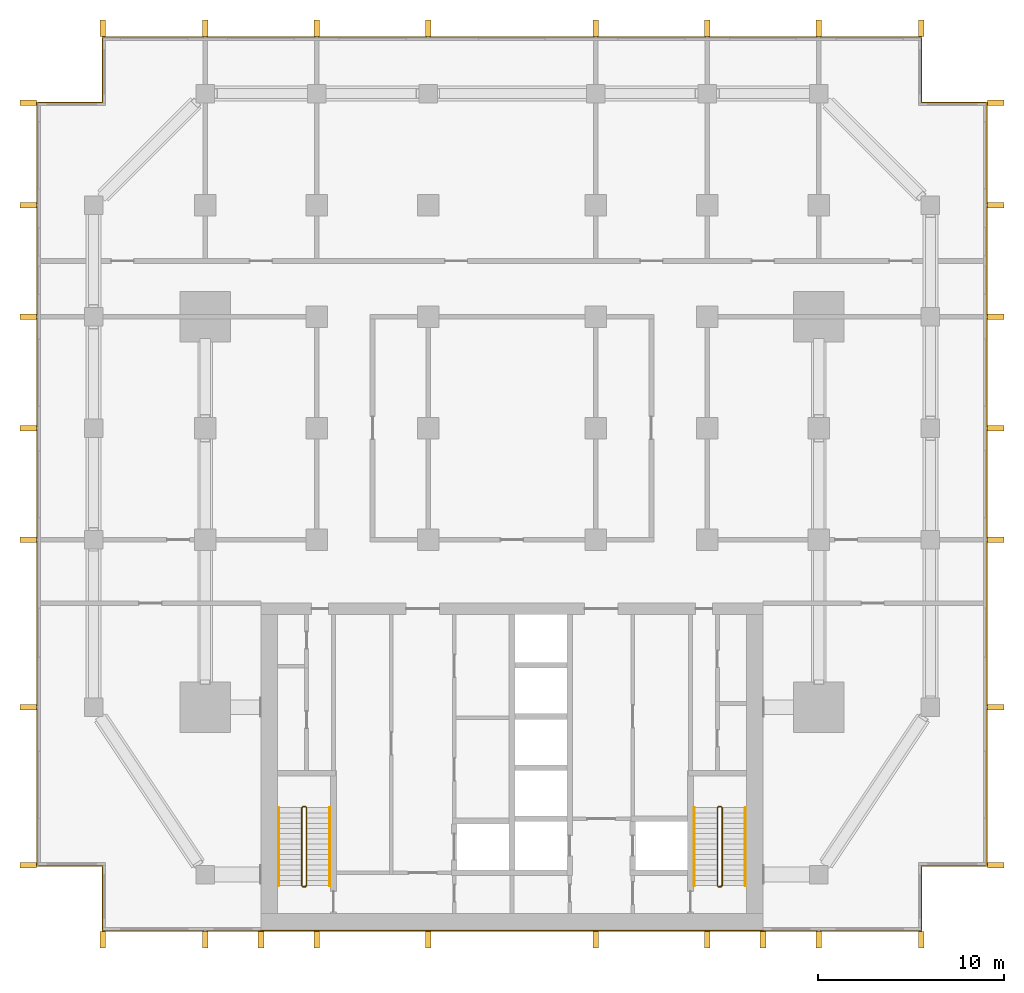
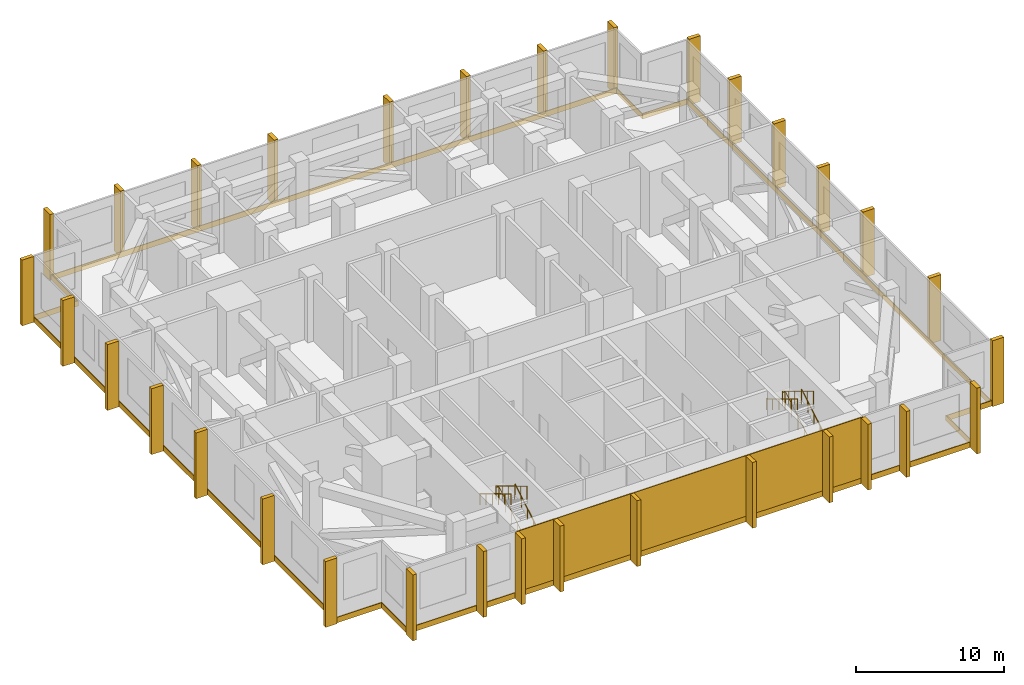
# One storey, part 12 of 12: 32 shading devices, 6 coverings, 6 railings.
"""IFC4 building model written with IfcOpenShell, lengths in metres."""

import ifcopenshell
import ifcopenshell.guid

model = None  # the IFC model being written
_history = None  # IfcOwnerHistory: only IFC2X3 demands one
_inside = {}  # id of a spatial element -> (the spatial element, [elements in it])
_under = {}  # id of a project, library or spatial element -> (it, [spatial elements below it])
_declared = {}  # id of a project -> (the project, [libraries it declares])
_typed = {}  # id of a type object -> (the type object, [elements of that type])
_made_of = {}  # id of a material, layer set ... -> (it, [elements and type objects made of it])


def new_model(schema):
    """Start an empty IFC model of exactly this schema.

    Asked for "IFC4X3", IfcOpenShell would pick the latest addendum, in which some entities
    have other attributes; the version numbers below select the first issue.
    IFC2X3 requires an IfcOwnerHistory on every rooted entity: one is made here for all.
    """
    global model, _history
    if schema == "IFC4X3":
        model = ifcopenshell.file(schema_version=(4, 3, 0, 0))
    else:
        model = ifcopenshell.file(schema=schema)
    _inside.clear()
    _under.clear()
    _declared.clear()
    _typed.clear()
    _made_of.clear()
    _history = None
    if model.schema == "IFC2X3":
        org = make("IfcOrganization", Name="unknown")
        user = make(
            "IfcPersonAndOrganization",
            ThePerson=make("IfcPerson", FamilyName="unknown"),
            TheOrganization=org,
        )
        app = make(
            "IfcApplication",
            ApplicationDeveloper=org,
            Version="unknown",
            ApplicationFullName="unknown",
            ApplicationIdentifier="unknown",
        )
        _history = make(
            "IfcOwnerHistory",
            OwningUser=user,
            OwningApplication=app,
            ChangeAction="ADDED",
            CreationDate=0,
        )
    return model


def make(cls, **values):
    """One entity of the class cls with the attributes given. An attribute that is None is left unset."""
    return model.create_entity(
        cls, **{name: value for name, value in values.items() if value is not None}
    )


def rooted(cls, **values):
    """An entity with a GlobalId (a new one), such as an element, a storey or a relation."""
    return make(cls, GlobalId=ifcopenshell.guid.new(), OwnerHistory=_history, **values)


def si_unit(unit_type, name, prefix=None):
    """IfcSIUnit, for example si_unit("LENGTHUNIT", "METRE", prefix="MILLI")."""
    return make("IfcSIUnit", UnitType=unit_type, Prefix=prefix, Name=name)


def assignment(units):
    """IfcUnitAssignment: the units of a project."""
    return None if units is None else make("IfcUnitAssignment", Units=units)


def point(xyz):
    """IfcCartesianPoint."""
    return None if xyz is None else make("IfcCartesianPoint", Coordinates=xyz)


def direction(xyz):
    """IfcDirection."""
    return None if xyz is None else make("IfcDirection", DirectionRatios=xyz)


def frame(location, z_axis=None, x_axis=None):
    """IfcAxis2Placement3D, a coordinate frame: its origin and axes. An axis left out is left unset."""
    return make(
        "IfcAxis2Placement3D",
        Location=point(location),
        Axis=direction(z_axis),
        RefDirection=direction(x_axis),
    )


def frame_2d(location, x_axis=None):
    """IfcAxis2Placement2D, a coordinate frame in the plane: its origin and x axis."""
    return make(
        "IfcAxis2Placement2D", Location=point(location), RefDirection=direction(x_axis)
    )


def origin():
    """The frame at (0, 0, 0) with its axes left unset."""
    return frame((0.0, 0.0, 0.0))


def origin_2d():
    """The frame at (0, 0) in the plane with its x axis left unset."""
    return frame_2d((0.0, 0.0))


def place(relative_to, where):
    """IfcLocalPlacement: puts the frame where relative to a parent placement (None: the world)."""
    return make(
        "IfcLocalPlacement", PlacementRelTo=relative_to, RelativePlacement=where
    )


def context(
    kind, dimensions, precision=None, world=None, true_north=None, identifier=None
):
    """IfcGeometricRepresentationContext, for example the 3D "Model" context."""
    return make(
        "IfcGeometricRepresentationContext",
        ContextIdentifier=identifier,
        ContextType=kind,
        CoordinateSpaceDimension=dimensions,
        Precision=precision,
        WorldCoordinateSystem=world,
        TrueNorth=true_north,
    )


def subcontext(parent, identifier, kind, view, scale=None):
    """IfcGeometricRepresentationSubContext, for example "Body" below "Model"."""
    return make(
        "IfcGeometricRepresentationSubContext",
        ContextIdentifier=identifier,
        ContextType=kind,
        ParentContext=parent,
        TargetScale=scale,
        TargetView=view,
    )


def project(units=None, contexts=None):
    """IfcProject with its units and contexts."""
    return rooted(
        "IfcProject",
        Name="project",
        RepresentationContexts=contexts,
        UnitsInContext=assignment(units),
    )


def spatial(cls, under=None, at=None, **own):
    """A site, building, storey or space (cls), placed at a placement, below another one or the project."""
    s = rooted(cls, ObjectPlacement=at, **own)
    if under is not None:
        _under.setdefault(under.id(), (under, []))[1].append(s)
    return s


def polyline(points):
    """IfcPolyline through the points."""
    return make("IfcPolyline", Points=[point(p) for p in points])


def profile(cls, at=None, kind="AREA", **sizes):
    """A parametric profile (cls). Its sizes go by their IFC names, for example OverallWidth=200.0."""
    return make(cls, ProfileType=kind, Position=at, **sizes)


def rectangle(**sizes):
    """IfcRectangleProfileDef."""
    return profile("IfcRectangleProfileDef", **sizes)


def circle(**sizes):
    """IfcCircleProfileDef."""
    return profile("IfcCircleProfileDef", **sizes)


def outline(outer, holes=None, kind="AREA"):
    """IfcArbitraryClosedProfileDef: a profile drawn as a closed curve; with holes, ...WithVoids."""
    if holes is None:
        return make("IfcArbitraryClosedProfileDef", ProfileType=kind, OuterCurve=outer)
    return make(
        "IfcArbitraryProfileDefWithVoids",
        ProfileType=kind,
        OuterCurve=outer,
        InnerCurves=holes,
    )


def extrude(swept, where, along, depth):
    """IfcExtrudedAreaSolid: the profile swept, set in the frame where, extruded along a direction by depth."""
    return make(
        "IfcExtrudedAreaSolid",
        SweptArea=swept,
        Position=where,
        ExtrudedDirection=direction(along),
        Depth=depth,
    )


def shape(context_of_items, identifier, shape_type, items):
    """IfcShapeRepresentation: the items that make up one representation, for example the "Body"."""
    return make(
        "IfcShapeRepresentation",
        ContextOfItems=context_of_items,
        RepresentationIdentifier=identifier,
        RepresentationType=shape_type,
        Items=items,
    )


def material(Name=None, Category=None):
    """IfcMaterial."""
    return make("IfcMaterial", Name=Name, Category=Category)


def layer(
    of_material, thickness, ventilated=None, Name=None, Category=None, Priority=None
):
    """IfcMaterialLayer: one layer of a wall or slab, of a material (None: an air gap)."""
    return make(
        "IfcMaterialLayer",
        Material=of_material,
        LayerThickness=thickness,
        IsVentilated=ventilated,
        Name=Name,
        Category=Category,
        Priority=Priority,
    )


def layer_set(layers, Name=None):
    """IfcMaterialLayerSet."""
    return make("IfcMaterialLayerSet", MaterialLayers=layers, LayerSetName=Name)


def made_of(thing, what):
    """Note that an element or type object is made of a material, layer set ...; save() writes the relation."""
    if what is not None:
        _made_of.setdefault(what.id(), (what, []))[1].append(thing)
    return thing


def type_object(cls, material=None, **own):
    """A type object (cls), such as IfcWallType, which elements share."""
    return made_of(rooted(cls, **own), material)


def element(
    cls,
    number,
    at=None,
    inside=None,
    cuts=None,
    type_object=None,
    material=None,
    context=None,
    identifier="Body",
    shape_type=None,
    held_by="IfcProductDefinitionShape",
    body=None,
    shapes=None,
    **own,
):
    """One element of the class cls, such as IfcWall. Its Tag is "e" and its number.

    at: its placement. inside: the storey or other place that contains it. cuts: it is an
    opening in that element (IfcRelVoidsElement). A single representation is given by context,
    identifier, shape_type and body (its items); several are given by shapes. held_by: the class
    of the entity that holds the representations. save() writes the other relations.
    """
    e = rooted(cls, Tag="e%d" % number, ObjectPlacement=at, **own)
    if body is not None:
        shapes = [shape(context, identifier, shape_type, body)]
    if shapes is not None:
        e.Representation = make(held_by, Representations=shapes)
    if inside is not None:
        _inside.setdefault(inside.id(), (inside, []))[1].append(e)
    if cuts is not None:
        rooted(
            "IfcRelVoidsElement", RelatingBuildingElement=cuts, RelatedOpeningElement=e
        )
    if type_object is not None:
        _typed.setdefault(type_object.id(), (type_object, []))[1].append(e)
    return made_of(e, material)


def aggregate(whole, parts):
    """IfcRelAggregates: a whole, such as a stair, and the parts it consists of."""
    return rooted("IfcRelAggregates", RelatingObject=whole, RelatedObjects=parts)


def save(model, path):
    """Write the relations noted so far, then the file.

    IfcRelAggregates (storeys below a building ...), IfcRelContainedInSpatialStructure (elements
    in a storey), IfcRelDefinesByType, IfcRelAssociatesMaterial and IfcRelDeclares: one each for
    every whole, place, type object, material and project.
    """
    for whole, parts in _under.values():
        aggregate(whole, parts)
    for where, things in _inside.values():
        rooted(
            "IfcRelContainedInSpatialStructure",
            RelatedElements=things,
            RelatingStructure=where,
        )
    for kind, things in _typed.values():
        rooted("IfcRelDefinesByType", RelatedObjects=things, RelatingType=kind)
    for what, things in _made_of.values():
        rooted("IfcRelAssociatesMaterial", RelatedObjects=things, RelatingMaterial=what)
    for by, libraries in _declared.values():
        rooted("IfcRelDeclares", RelatingContext=by, RelatedDefinitions=libraries)
    model.write(path)


model = new_model("IFC4")

# Units and contexts
model_context = context("Model", 3, precision=1e-05, world=origin(), true_north=direction((0.0, 1.0)))
body_context = subcontext(model_context, "Body", "Model", "MODEL_VIEW")
ifc_project = project(units=[si_unit("LENGTHUNIT", "METRE"), si_unit("AREAUNIT", "SQUARE_METRE"), si_unit("VOLUMEUNIT", "CUBIC_METRE"), si_unit("PLANEANGLEUNIT", "RADIAN"), si_unit("MASSUNIT", "GRAM", prefix="KILO")], contexts=[model_context])

# Site, building, storey
site_placement = place(None, origin())
site = spatial("IfcSite", under=ifc_project, at=site_placement, CompositionType="ELEMENT")
building_placement = place(site_placement, origin())
building = spatial("IfcBuilding", under=site, at=building_placement, Name="Finial Court Residences", CompositionType="ELEMENT")
storey_placement = place(building_placement, frame((0.0, 0.0, 143.89990234375)))
storey = spatial("IfcBuildingStorey", under=building, at=storey_placement, Name="L35", CompositionType="ELEMENT", Elevation=143.89990234375)

# Coverings
ifc_material_1 = material(Name="Natural limestone", Category="masonry")
ifc_layer_1 = layer(ifc_material_1, 0.06005859375)
ifc_layer_set_1 = layer_set([ifc_layer_1], Name="Limestone cladding to the blind core face 60")
covering_type_1 = type_object("IfcCoveringType", Name="Limestone cladding to the blind core face 60", PredefinedType="CLADDING", material=ifc_layer_set_1)
covering_1_placement = place(storey_placement, origin())
element("IfcCovering", 1, at=covering_1_placement, inside=storey, type_object=covering_type_1, Name="E-L35-CLAD1", PredefinedType="CLADDING", context=body_context, shape_type="SweptSolid", body=[
    extrude(outline(polyline([(-10.5, -25.56005859375), (-10.5, -25.5), (-13.5, -25.5), (-13.5, -25.56005859375), (-10.5, -25.56005859375)])), origin(), (0.0, 0.0, 1.0), 5.0),
])
covering_2_placement = place(storey_placement, origin())
element("IfcCovering", 2, at=covering_2_placement, inside=storey, type_object=covering_type_1, Name="E-L35-CLAD2", PredefinedType="CLADDING", context=body_context, shape_type="SweptSolid", body=[
    extrude(outline(polyline([(-4.5, -25.56005859375), (-4.5, -25.5), (-10.5, -25.5), (-10.5, -25.56005859375), (-4.5, -25.56005859375)])), origin(), (0.0, 0.0, 1.0), 5.0),
])
covering_3_placement = place(storey_placement, origin())
element("IfcCovering", 3, at=covering_3_placement, inside=storey, type_object=covering_type_1, Name="E-L35-CLAD3", PredefinedType="CLADDING", context=body_context, shape_type="SweptSolid", body=[
    extrude(outline(polyline([(4.5, -25.56005859375), (4.5, -25.5), (-4.5, -25.5), (-4.5, -25.56005859375), (4.5, -25.56005859375)])), origin(), (0.0, 0.0, 1.0), 5.0),
])
covering_4_placement = place(storey_placement, origin())
element("IfcCovering", 4, at=covering_4_placement, inside=storey, type_object=covering_type_1, Name="E-L35-CLAD4", PredefinedType="CLADDING", context=body_context, shape_type="SweptSolid", body=[
    extrude(outline(polyline([(10.5, -25.56005859375), (10.5, -25.5), (4.5, -25.5), (4.5, -25.56005859375), (10.5, -25.56005859375)])), origin(), (0.0, 0.0, 1.0), 5.0),
])
covering_5_placement = place(storey_placement, origin())
element("IfcCovering", 5, at=covering_5_placement, inside=storey, type_object=covering_type_1, Name="E-L35-CLAD5", PredefinedType="CLADDING", context=body_context, shape_type="SweptSolid", body=[
    extrude(outline(polyline([(13.5, -25.56005859375), (13.5, -25.5), (10.5, -25.5), (10.5, -25.56005859375), (13.5, -25.56005859375)])), origin(), (0.0, 0.0, 1.0), 5.0),
])

# Shading devices
shading_device_type = type_object("IfcShadingDeviceType", Name="Limestone fin 300 x 900", PredefinedType="USERDEFINED", material=ifc_material_1)
for number, where, z_axis, x_axis, name in (
    (6, (-22.0, 23.010009765625, -0.44970703125), (0.0, 0.0, 1.0), (1.0, 0.0, 0.0), "E-L35-FIN-N1"),
    (7, (-16.5, 23.010009765625, -0.44970703125), (0.0, 0.0, 1.0), (1.0, 0.0, 0.0), "E-L35-FIN-N2"),
    (8, (-10.5, 23.010009765625, -0.44970703125), (0.0, 0.0, 1.0), (1.0, 0.0, 0.0), "E-L35-FIN-N3"),
    (9, (-4.5, 23.010009765625, -0.44970703125), (0.0, 0.0, 1.0), (1.0, 0.0, 0.0), "E-L35-FIN-N4"),
    (10, (4.5, 23.010009765625, -0.44970703125), (0.0, 0.0, 1.0), (1.0, 0.0, 0.0), "E-L35-FIN-N5"),
    (11, (10.5, 23.010009765625, -0.44970703125), (0.0, 0.0, 1.0), (1.0, 0.0, 0.0), "E-L35-FIN-N6"),
    (12, (16.5, 23.010009765625, -0.44970703125), (0.0, 0.0, 1.0), (1.0, 0.0, 0.0), "E-L35-FIN-N7"),
    (13, (22.0, 23.010009765625, -0.44970703125), (0.0, 0.0, 1.0), (1.0, 0.0, 0.0), "E-L35-FIN-N8"),
):
    element("IfcShadingDevice", number, at=place(storey_placement, frame(where, z_axis=z_axis, x_axis=x_axis)), inside=storey, type_object=shading_device_type, Name=name, ObjectType="FIN", PredefinedType="USERDEFINED", context=body_context, shape_type="SweptSolid", body=[
        extrude(rectangle(XDim=0.300048828125, YDim=0.89990234375, at=origin_2d()), origin(), (0.0, 0.0, 1.0), 5.429931640625),
    ])
for number, where, z_axis, x_axis, name in (
    (14, (26.010009765625, -22.0, -0.44970703125), (0.0, 0.0, 1.0), (1.0, 0.0, 0.0), "E-L35-FIN-E9"),
    (15, (26.010009765625, -13.5, -0.44970703125), (0.0, 0.0, 1.0), (1.0, 0.0, 0.0), "E-L35-FIN-E10"),
    (16, (26.010009765625, -4.5, -0.44970703125), (0.0, 0.0, 1.0), (1.0, 0.0, 0.0), "E-L35-FIN-E11"),
    (17, (26.010009765625, 1.5, -0.44970703125), (0.0, 0.0, 1.0), (1.0, 0.0, 0.0), "E-L35-FIN-E12"),
    (18, (26.010009765625, 7.5, -0.44970703125), (0.0, 0.0, 1.0), (1.0, 0.0, 0.0), "E-L35-FIN-E13"),
    (19, (26.010009765625, 13.5, -0.44970703125), (0.0, 0.0, 1.0), (1.0, 0.0, 0.0), "E-L35-FIN-E14"),
    (20, (26.010009765625, 19.0, -0.44970703125), (0.0, 0.0, 1.0), (1.0, 0.0, 0.0), "E-L35-FIN-E15"),
):
    element("IfcShadingDevice", number, at=place(storey_placement, frame(where, z_axis=z_axis, x_axis=x_axis)), inside=storey, type_object=shading_device_type, Name=name, ObjectType="FIN", PredefinedType="USERDEFINED", context=body_context, shape_type="SweptSolid", body=[
        extrude(rectangle(XDim=0.89990234375, YDim=0.300048828125, at=origin_2d()), origin(), (0.0, 0.0, 1.0), 5.429931640625),
    ])
for number, where, z_axis, x_axis, name in (
    (21, (-22.0, -26.010009765625, -0.44970703125), (0.0, 0.0, 1.0), (1.0, 0.0, 0.0), "E-L35-FIN-S16"),
    (22, (-16.5, -26.010009765625, -0.44970703125), (0.0, 0.0, 1.0), (1.0, 0.0, 0.0), "E-L35-FIN-S17"),
    (23, (-13.5, -26.010009765625, -0.44970703125), (0.0, 0.0, 1.0), (1.0, 0.0, 0.0), "E-L35-FIN-S18"),
    (24, (-10.5, -26.010009765625, -0.44970703125), (0.0, 0.0, 1.0), (1.0, 0.0, 0.0), "E-L35-FIN-S19"),
    (25, (-4.5, -26.010009765625, -0.44970703125), (0.0, 0.0, 1.0), (1.0, 0.0, 0.0), "E-L35-FIN-S20"),
    (26, (4.5, -26.010009765625, -0.44970703125), (0.0, 0.0, 1.0), (1.0, 0.0, 0.0), "E-L35-FIN-S21"),
    (27, (10.5, -26.010009765625, -0.44970703125), (0.0, 0.0, 1.0), (1.0, 0.0, 0.0), "E-L35-FIN-S22"),
    (28, (13.5, -26.010009765625, -0.44970703125), (0.0, 0.0, 1.0), (1.0, 0.0, 0.0), "E-L35-FIN-S23"),
    (29, (16.5, -26.010009765625, -0.44970703125), (0.0, 0.0, 1.0), (1.0, 0.0, 0.0), "E-L35-FIN-S24"),
    (30, (22.0, -26.010009765625, -0.44970703125), (0.0, 0.0, 1.0), (1.0, 0.0, 0.0), "E-L35-FIN-S25"),
):
    element("IfcShadingDevice", number, at=place(storey_placement, frame(where, z_axis=z_axis, x_axis=x_axis)), inside=storey, type_object=shading_device_type, Name=name, ObjectType="FIN", PredefinedType="USERDEFINED", context=body_context, shape_type="SweptSolid", body=[
        extrude(rectangle(XDim=0.300048828125, YDim=0.89990234375, at=origin_2d()), origin(), (0.0, 0.0, 1.0), 5.429931640625),
    ])
for number, where, z_axis, x_axis, name in (
    (31, (-26.010009765625, -22.0, -0.44970703125), (0.0, 0.0, 1.0), (1.0, 0.0, 0.0), "E-L35-FIN-W26"),
    (32, (-26.010009765625, -13.5, -0.44970703125), (0.0, 0.0, 1.0), (1.0, 0.0, 0.0), "E-L35-FIN-W27"),
    (33, (-26.010009765625, -4.5, -0.44970703125), (0.0, 0.0, 1.0), (1.0, 0.0, 0.0), "E-L35-FIN-W28"),
    (34, (-26.010009765625, 1.5, -0.44970703125), (0.0, 0.0, 1.0), (1.0, 0.0, 0.0), "E-L35-FIN-W29"),
    (35, (-26.010009765625, 7.5, -0.44970703125), (0.0, 0.0, 1.0), (1.0, 0.0, 0.0), "E-L35-FIN-W30"),
    (36, (-26.010009765625, 13.5, -0.44970703125), (0.0, 0.0, 1.0), (1.0, 0.0, 0.0), "E-L35-FIN-W31"),
    (37, (-26.010009765625, 19.0, -0.44970703125), (0.0, 0.0, 1.0), (1.0, 0.0, 0.0), "E-L35-FIN-W32"),
):
    element("IfcShadingDevice", number, at=place(storey_placement, frame(where, z_axis=z_axis, x_axis=x_axis)), inside=storey, type_object=shading_device_type, Name=name, ObjectType="FIN", PredefinedType="USERDEFINED", context=body_context, shape_type="SweptSolid", body=[
        extrude(rectangle(XDim=0.89990234375, YDim=0.300048828125, at=origin_2d()), origin(), (0.0, 0.0, 1.0), 5.429931640625),
    ])

# Covering
ifc_material_2 = material(Name="Pale limestone", Category="masonry")
ifc_layer_2 = layer(ifc_material_2, 0.06005859375)
ifc_layer_set_2 = layer_set([ifc_layer_2], Name="Pale limestone slab-edge band 60")
covering_type_2 = type_object("IfcCoveringType", Name="Pale limestone slab-edge band 60", PredefinedType="CLADDING", material=ifc_layer_set_2)
covering_6_placement = place(storey_placement, frame((0.0, 0.0, -0.449951171875)))
element("IfcCovering", 38, at=covering_6_placement, inside=storey, type_object=covering_type_2, Name="E-L35-BAND1", PredefinedType="CLADDING", context=body_context, shape_type="SweptSolid", body=[
    extrude(outline(polyline([(22.06005859375, -25.56005859375), (-22.06005859375, -25.56005859375), (-22.06005859375, -22.06005859375), (-25.56005859375, -22.06005859375), (-25.56005859375, 19.06005859375), (-22.06005859375, 19.06005859375), (-22.06005859375, 22.56005859375), (22.06005859375, 22.56005859375), (22.06005859375, 19.06005859375), (25.56005859375, 19.06005859375), (25.56005859375, -22.06005859375), (22.06005859375, -22.06005859375), (22.06005859375, -25.56005859375)]), holes=[polyline([(25.5, -22.0), (25.5, 19.0), (22.0, 19.0), (22.0, 22.5), (-22.0, 22.5), (-22.0, 19.0), (-25.5, 19.0), (-25.5, -22.0), (-22.0, -22.0), (-22.0, -25.5), (22.0, -25.5), (22.0, -22.0), (25.5, -22.0)])]), origin(), (0.0, 0.0, 1.0), 0.449951171875),
])

# Railings
ifc_material_3 = material(Name="Stainless steel railing", Category="steel")
railing_type_1 = type_object("IfcRailingType", Name="Stair guard 1100", PredefinedType="GUARDRAIL", material=ifc_material_3)
railing_1_placement = place(storey_placement, frame((-11.10009765625, -23.14990234375, 0.0)))
element("IfcRailing", 39, at=railing_1_placement, inside=storey, type_object=railing_type_1, Name="L35 ST-1 stair guard 1", PredefinedType="GUARDRAIL", context=body_context, shape_type="SweptSolid", body=[
    extrude(circle(Radius=0.02392578125, at=origin_2d()), frame((0.0, 0.0, 1.076171875), z_axis=(-1.0, 0.0, 0.0), x_axis=(0.0, -1.0, 0.0)), (0.0, 0.0, 1.0), 0.14990234375),
    extrude(circle(Radius=0.02392578125, at=origin_2d()), frame((-0.14990234375, 0.0, 1.076171875), z_axis=(0.750384898897, 0.186909059066, 0.63402484742), x_axis=(-0.241699205484, 0.970351222016, 0.0)), (0.0, 0.0, 1.0), 0.266357421875),
    extrude(circle(Radius=0.02392578125, at=origin_2d()), frame((0.050048828125, 0.0498046875, 1.2451171875), z_axis=(0.0, 0.856489757249, 0.516164020179), x_axis=(-1.0, 0.0, 0.0)), (0.0, 0.0, 1.0), 4.904052734375),
    extrude(circle(Radius=0.02392578125, at=origin_2d()), frame((0.050048828125, 4.25, 3.7763671875), z_axis=(-0.708833529934, 0.705375805398, 0.0), x_axis=(-0.705375805398, -0.708833529934, 0.0)), (0.0, 0.0, 1.0), 0.070556640625),
    extrude(circle(Radius=0.02392578125, at=origin_2d()), frame((0.0, 4.2998046875, 3.7763671875), z_axis=(-1.0, 0.0, 0.0), x_axis=(0.0, -1.0, 0.0)), (0.0, 0.0, 1.0), 0.14990234375),
    extrude(circle(Radius=0.02392578125, at=origin_2d()), frame((-0.14990234375, 4.2998046875, 3.7763671875), z_axis=(-0.273668752699, -0.272333783174, 0.922463942026), x_axis=(0.705375805398, -0.708833529934, 0.0)), (0.0, 0.0, 1.0), 0.182861328125),
    extrude(circle(Radius=0.02392578125, at=origin_2d()), frame((-0.199951171875, 4.25, 3.94482421875), z_axis=(0.0, -0.856489757249, 0.516164020179), x_axis=(1.0, 0.0, 0.0)), (0.0, 0.0, 1.0), 4.904052734375),
    extrude(circle(Radius=0.02099609375, at=origin_2d()), origin(), (0.0, 0.0, 1.0), 1.052001953125),
    extrude(circle(Radius=0.02099609375, at=origin_2d()), frame((-0.14990234375, 0.0, 0.0)), (0.0, 0.0, 1.0), 1.052001953125),
    extrude(circle(Radius=0.02099609375, at=origin_2d()), frame((0.050048828125, 0.0498046875, 0.1689453125)), (0.0, 0.0, 1.0), 1.052001953125),
    extrude(circle(Radius=0.02099609375, at=origin_2d()), frame((0.050048828125, 0.889892578125, 0.67529296875)), (0.0, 0.0, 1.0), 1.052001953125),
    extrude(circle(Radius=0.02099609375, at=origin_2d()), frame((0.050048828125, 1.72998046875, 1.181396484375)), (0.0, 0.0, 1.0), 1.052001953125),
    extrude(circle(Radius=0.02099609375, at=origin_2d()), frame((0.050048828125, 2.56982421875, 1.687744140625)), (0.0, 0.0, 1.0), 1.052001953125),
    extrude(circle(Radius=0.02099609375, at=origin_2d()), frame((0.050048828125, 3.409912109375, 2.19384765625)), (0.0, 0.0, 1.0), 1.052001953125),
    extrude(circle(Radius=0.02099609375, at=origin_2d()), frame((0.050048828125, 4.25, 2.7001953125)), (0.0, 0.0, 1.0), 1.052001953125),
    extrude(circle(Radius=0.02099609375, at=origin_2d()), frame((0.0, 4.2998046875, 2.7001953125)), (0.0, 0.0, 1.0), 1.052001953125),
    extrude(circle(Radius=0.02099609375, at=origin_2d()), frame((-0.14990234375, 4.2998046875, 2.7001953125)), (0.0, 0.0, 1.0), 1.052001953125),
    extrude(circle(Radius=0.02099609375, at=origin_2d()), frame((-0.199951171875, 4.25, 2.868896484375)), (0.0, 0.0, 1.0), 1.052001953125),
    extrude(circle(Radius=0.02099609375, at=origin_2d()), frame((-0.199951171875, 3.409912109375, 3.375244140625)), (0.0, 0.0, 1.0), 1.052001953125),
    extrude(circle(Radius=0.02099609375, at=origin_2d()), frame((-0.199951171875, 2.56982421875, 3.88134765625)), (0.0, 0.0, 1.0), 1.052001953125),
    extrude(circle(Radius=0.02099609375, at=origin_2d()), frame((-0.199951171875, 1.72998046875, 4.3876953125)), (0.0, 0.0, 1.0), 1.052001953125),
    extrude(circle(Radius=0.02099609375, at=origin_2d()), frame((-0.199951171875, 0.889892578125, 4.893798828125)), (0.0, 0.0, 1.0), 1.052001953125),
    extrude(circle(Radius=0.02099609375, at=origin_2d()), frame((-0.199951171875, 0.0498046875, 5.400146484375)), (0.0, 0.0, 1.0), 1.052001953125),
])
railing_2_placement = place(storey_placement, frame((11.25, -23.14990234375, 0.0)))
element("IfcRailing", 40, at=railing_2_placement, inside=storey, type_object=railing_type_1, Name="L35 ST-2 stair guard 1", PredefinedType="GUARDRAIL", context=body_context, shape_type="SweptSolid", body=[
    extrude(circle(Radius=0.02392578125, at=origin_2d()), frame((0.0, 0.0, 1.076171875), z_axis=(-1.0, 0.0, 0.0), x_axis=(0.0, -1.0, 0.0)), (0.0, 0.0, 1.0), 0.14990234375),
    extrude(circle(Radius=0.02392578125, at=origin_2d()), frame((-0.14990234375, 0.0, 1.076171875), z_axis=(0.750384898897, 0.186909059066, 0.63402484742), x_axis=(-0.241699205484, 0.970351222016, 0.0)), (0.0, 0.0, 1.0), 0.266357421875),
    extrude(circle(Radius=0.02392578125, at=origin_2d()), frame((0.050048828125, 0.0498046875, 1.2451171875), z_axis=(0.0, 0.856489757249, 0.516164020179), x_axis=(-1.0, 0.0, 0.0)), (0.0, 0.0, 1.0), 4.904052734375),
    extrude(circle(Radius=0.02392578125, at=origin_2d()), frame((0.050048828125, 4.25, 3.7763671875), z_axis=(-0.708833529934, 0.705375805398, 0.0), x_axis=(-0.705375805398, -0.708833529934, 0.0)), (0.0, 0.0, 1.0), 0.070556640625),
    extrude(circle(Radius=0.02392578125, at=origin_2d()), frame((0.0, 4.2998046875, 3.7763671875), z_axis=(-1.0, 0.0, 0.0), x_axis=(0.0, -1.0, 0.0)), (0.0, 0.0, 1.0), 0.14990234375),
    extrude(circle(Radius=0.02392578125, at=origin_2d()), frame((-0.14990234375, 4.2998046875, 3.7763671875), z_axis=(-0.273668752699, -0.272333783174, 0.922463942026), x_axis=(0.705375805398, -0.708833529934, 0.0)), (0.0, 0.0, 1.0), 0.182861328125),
    extrude(circle(Radius=0.02392578125, at=origin_2d()), frame((-0.199951171875, 4.25, 3.94482421875), z_axis=(0.0, -0.856489757249, 0.516164020179), x_axis=(1.0, 0.0, 0.0)), (0.0, 0.0, 1.0), 4.904052734375),
    extrude(circle(Radius=0.02099609375, at=origin_2d()), origin(), (0.0, 0.0, 1.0), 1.052001953125),
    extrude(circle(Radius=0.02099609375, at=origin_2d()), frame((-0.14990234375, 0.0, 0.0)), (0.0, 0.0, 1.0), 1.052001953125),
    extrude(circle(Radius=0.02099609375, at=origin_2d()), frame((0.050048828125, 0.0498046875, 0.1689453125)), (0.0, 0.0, 1.0), 1.052001953125),
    extrude(circle(Radius=0.02099609375, at=origin_2d()), frame((0.050048828125, 0.889892578125, 0.67529296875)), (0.0, 0.0, 1.0), 1.052001953125),
    extrude(circle(Radius=0.02099609375, at=origin_2d()), frame((0.050048828125, 1.72998046875, 1.181396484375)), (0.0, 0.0, 1.0), 1.052001953125),
    extrude(circle(Radius=0.02099609375, at=origin_2d()), frame((0.050048828125, 2.56982421875, 1.687744140625)), (0.0, 0.0, 1.0), 1.052001953125),
    extrude(circle(Radius=0.02099609375, at=origin_2d()), frame((0.050048828125, 3.409912109375, 2.19384765625)), (0.0, 0.0, 1.0), 1.052001953125),
    extrude(circle(Radius=0.02099609375, at=origin_2d()), frame((0.050048828125, 4.25, 2.7001953125)), (0.0, 0.0, 1.0), 1.052001953125),
    extrude(circle(Radius=0.02099609375, at=origin_2d()), frame((0.0, 4.2998046875, 2.7001953125)), (0.0, 0.0, 1.0), 1.052001953125),
    extrude(circle(Radius=0.02099609375, at=origin_2d()), frame((-0.14990234375, 4.2998046875, 2.7001953125)), (0.0, 0.0, 1.0), 1.052001953125),
    extrude(circle(Radius=0.02099609375, at=origin_2d()), frame((-0.199951171875, 4.25, 2.868896484375)), (0.0, 0.0, 1.0), 1.052001953125),
    extrude(circle(Radius=0.02099609375, at=origin_2d()), frame((-0.199951171875, 3.409912109375, 3.375244140625)), (0.0, 0.0, 1.0), 1.052001953125),
    extrude(circle(Radius=0.02099609375, at=origin_2d()), frame((-0.199951171875, 2.56982421875, 3.88134765625)), (0.0, 0.0, 1.0), 1.052001953125),
    extrude(circle(Radius=0.02099609375, at=origin_2d()), frame((-0.199951171875, 1.72998046875, 4.3876953125)), (0.0, 0.0, 1.0), 1.052001953125),
    extrude(circle(Radius=0.02099609375, at=origin_2d()), frame((-0.199951171875, 0.889892578125, 4.893798828125)), (0.0, 0.0, 1.0), 1.052001953125),
    extrude(circle(Radius=0.02099609375, at=origin_2d()), frame((-0.199951171875, 0.0498046875, 5.400146484375)), (0.0, 0.0, 1.0), 1.052001953125),
])
railing_type_2 = type_object("IfcRailingType", Name="Stair handrail 900", PredefinedType="HANDRAIL", material=ifc_material_3)
railing_3_placement = place(storey_placement, frame((-9.800048828125, -23.10009765625, 0.1689453125)))
element("IfcRailing", 41, at=railing_3_placement, inside=storey, type_object=railing_type_2, Name="L35 ST-1 stair handrail 1", PredefinedType="HANDRAIL", context=body_context, shape_type="SweptSolid", body=[
    extrude(circle(Radius=0.02392578125, at=origin_2d()), frame((0.0, 0.0, 0.8759765625), z_axis=(0.0, 0.856489757249, 0.516164020179), x_axis=(-1.0, 0.0, 0.0)), (0.0, 0.0, 1.0), 4.904052734375),
    extrude(circle(Radius=0.02099609375, at=origin_2d()), origin(), (0.0, 0.0, 1.0), 0.851806640625),
    extrude(circle(Radius=0.02099609375, at=origin_2d()), frame((0.0, 0.840087890625, 0.50634765625)), (0.0, 0.0, 1.0), 0.851806640625),
    extrude(circle(Radius=0.02099609375, at=origin_2d()), frame((0.0, 1.68017578125, 1.012451171875)), (0.0, 0.0, 1.0), 0.851806640625),
    extrude(circle(Radius=0.02099609375, at=origin_2d()), frame((0.0, 2.52001953125, 1.518798828125)), (0.0, 0.0, 1.0), 0.851806640625),
    extrude(circle(Radius=0.02099609375, at=origin_2d()), frame((0.0, 3.360107421875, 2.02490234375)), (0.0, 0.0, 1.0), 0.851806640625),
    extrude(circle(Radius=0.02099609375, at=origin_2d()), frame((0.0, 4.2001953125, 2.53125)), (0.0, 0.0, 1.0), 0.851806640625),
])
railing_4_placement = place(storey_placement, frame((-12.550048828125, -18.89990234375, 2.868896484375)))
element("IfcRailing", 42, at=railing_4_placement, inside=storey, type_object=railing_type_2, Name="L35 ST-1 stair handrail 2", PredefinedType="HANDRAIL", context=body_context, shape_type="SweptSolid", body=[
    extrude(circle(Radius=0.02392578125, at=origin_2d()), frame((0.0, 0.0, 0.8759765625), z_axis=(0.0, -0.856489757249, 0.516164020179), x_axis=(1.0, 0.0, 0.0)), (0.0, 0.0, 1.0), 4.904052734375),
    extrude(circle(Radius=0.02099609375, at=origin_2d()), origin(), (0.0, 0.0, 1.0), 0.851806640625),
    extrude(circle(Radius=0.02099609375, at=origin_2d()), frame((0.0, -0.840087890625, 0.50634765625)), (0.0, 0.0, 1.0), 0.851806640625),
    extrude(circle(Radius=0.02099609375, at=origin_2d()), frame((0.0, -1.68017578125, 1.012451171875)), (0.0, 0.0, 1.0), 0.851806640625),
    extrude(circle(Radius=0.02099609375, at=origin_2d()), frame((0.0, -2.52001953125, 1.518798828125)), (0.0, 0.0, 1.0), 0.851806640625),
    extrude(circle(Radius=0.02099609375, at=origin_2d()), frame((0.0, -3.360107421875, 2.02490234375)), (0.0, 0.0, 1.0), 0.851806640625),
    extrude(circle(Radius=0.02099609375, at=origin_2d()), frame((0.0, -4.2001953125, 2.53125)), (0.0, 0.0, 1.0), 0.851806640625),
])
railing_5_placement = place(storey_placement, frame((12.550048828125, -23.10009765625, 0.1689453125)))
element("IfcRailing", 43, at=railing_5_placement, inside=storey, type_object=railing_type_2, Name="L35 ST-2 stair handrail 1", PredefinedType="HANDRAIL", context=body_context, shape_type="SweptSolid", body=[
    extrude(circle(Radius=0.02392578125, at=origin_2d()), frame((0.0, 0.0, 0.8759765625), z_axis=(0.0, 0.856489757249, 0.516164020179), x_axis=(-1.0, 0.0, 0.0)), (0.0, 0.0, 1.0), 4.904052734375),
    extrude(circle(Radius=0.02099609375, at=origin_2d()), origin(), (0.0, 0.0, 1.0), 0.851806640625),
    extrude(circle(Radius=0.02099609375, at=origin_2d()), frame((0.0, 0.840087890625, 0.50634765625)), (0.0, 0.0, 1.0), 0.851806640625),
    extrude(circle(Radius=0.02099609375, at=origin_2d()), frame((0.0, 1.68017578125, 1.012451171875)), (0.0, 0.0, 1.0), 0.851806640625),
    extrude(circle(Radius=0.02099609375, at=origin_2d()), frame((0.0, 2.52001953125, 1.518798828125)), (0.0, 0.0, 1.0), 0.851806640625),
    extrude(circle(Radius=0.02099609375, at=origin_2d()), frame((0.0, 3.360107421875, 2.02490234375)), (0.0, 0.0, 1.0), 0.851806640625),
    extrude(circle(Radius=0.02099609375, at=origin_2d()), frame((0.0, 4.2001953125, 2.53125)), (0.0, 0.0, 1.0), 0.851806640625),
])
railing_6_placement = place(storey_placement, frame((9.800048828125, -18.89990234375, 2.868896484375)))
element("IfcRailing", 44, at=railing_6_placement, inside=storey, type_object=railing_type_2, Name="L35 ST-2 stair handrail 2", PredefinedType="HANDRAIL", context=body_context, shape_type="SweptSolid", body=[
    extrude(circle(Radius=0.02392578125, at=origin_2d()), frame((0.0, 0.0, 0.8759765625), z_axis=(0.0, -0.856489757249, 0.516164020179), x_axis=(1.0, 0.0, 0.0)), (0.0, 0.0, 1.0), 4.904052734375),
    extrude(circle(Radius=0.02099609375, at=origin_2d()), origin(), (0.0, 0.0, 1.0), 0.851806640625),
    extrude(circle(Radius=0.02099609375, at=origin_2d()), frame((0.0, -0.840087890625, 0.50634765625)), (0.0, 0.0, 1.0), 0.851806640625),
    extrude(circle(Radius=0.02099609375, at=origin_2d()), frame((0.0, -1.68017578125, 1.012451171875)), (0.0, 0.0, 1.0), 0.851806640625),
    extrude(circle(Radius=0.02099609375, at=origin_2d()), frame((0.0, -2.52001953125, 1.518798828125)), (0.0, 0.0, 1.0), 0.851806640625),
    extrude(circle(Radius=0.02099609375, at=origin_2d()), frame((0.0, -3.360107421875, 2.02490234375)), (0.0, 0.0, 1.0), 0.851806640625),
    extrude(circle(Radius=0.02099609375, at=origin_2d()), frame((0.0, -4.2001953125, 2.53125)), (0.0, 0.0, 1.0), 0.851806640625),
])

save(model, "model.ifc")
